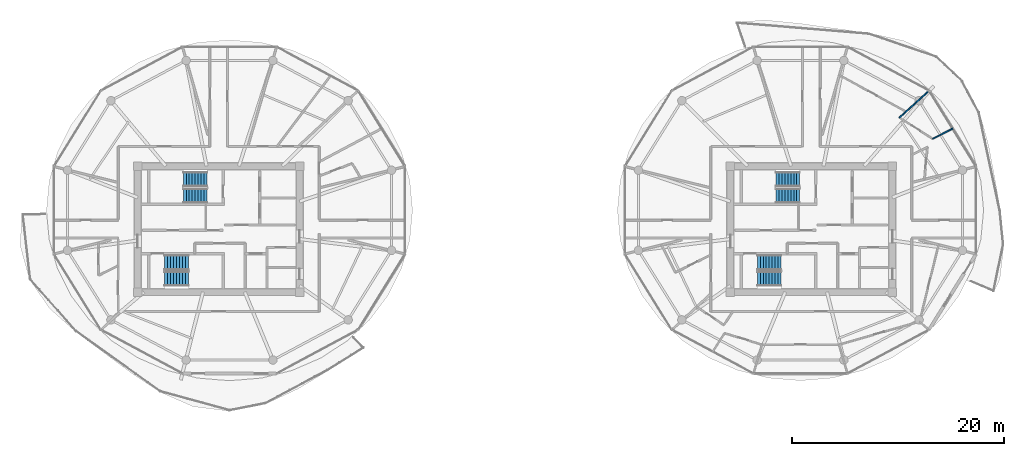
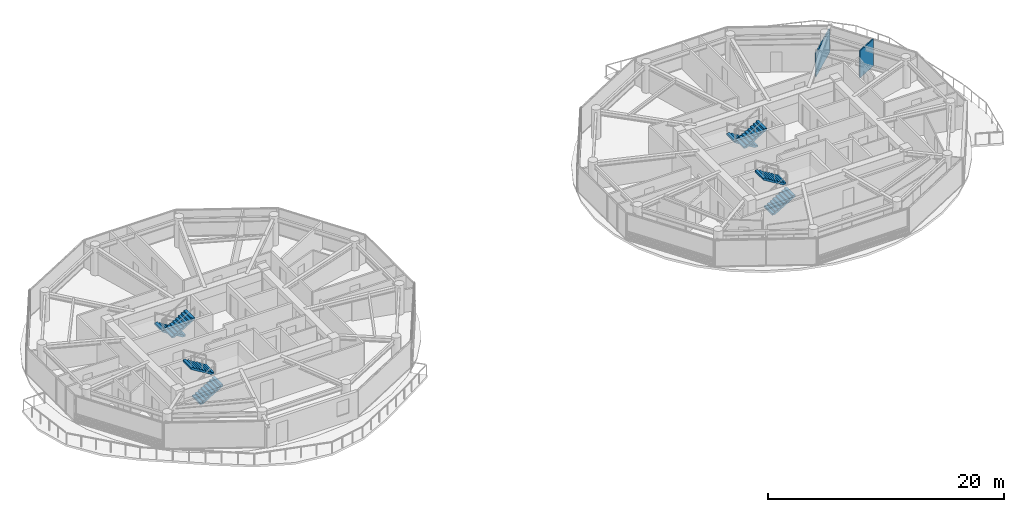
# One storey, part 17 of 22: 8 stair flights, 2 walls, 4 elements without a shape of their own.
"""IFC4 building model written with IfcOpenShell, lengths in metres."""

from ifc_helpers import new_model, si_unit, direction, frame, frame_2d, origin, place, context, subcontext, project, spatial, polyline, rectangle, outline, extrude, source, transform, mapped, material, layer, layer_set, type_object, type_shapes, element, aggregate, save


model = new_model("IFC4")

# Units and contexts
model_context = context("Model", 3, precision=1e-05, world=origin(), true_north=direction((0.0, 1.0)))
body_context = subcontext(model_context, "Body", "Model", "MODEL_VIEW")
ifc_project = project(units=[si_unit("LENGTHUNIT", "METRE"), si_unit("AREAUNIT", "SQUARE_METRE"), si_unit("VOLUMEUNIT", "CUBIC_METRE"), si_unit("PLANEANGLEUNIT", "RADIAN"), si_unit("MASSUNIT", "GRAM", prefix="KILO")], contexts=[model_context])

# Site, building, storey
site_placement = place(None, origin())
site = spatial("IfcSite", under=ifc_project, at=site_placement, CompositionType="ELEMENT")
building_placement = place(site_placement, origin())
building = spatial("IfcBuilding", under=site, at=building_placement, Name="Norrkilde Senior Care Towers", CompositionType="ELEMENT")
storey_placement = place(building_placement, frame((0.0, 0.0, 167.85009765625)))
storey = spatial("IfcBuildingStorey", under=building, at=storey_placement, Name="L52", CompositionType="ELEMENT", Elevation=167.85009765625)

# Walls
ifc_material_1 = material(Name="Gypsum Acoustic Board")
ifc_layer = layer(ifc_material_1, 0.114990234375)
ifc_layer_set = layer_set([ifc_layer], Name="Gypsum Acoustic Board")
wall_type = type_object("IfcWallType", Name="Internal Room Partition 115", PredefinedType="PARTITIONING", material=ifc_layer_set)
shared_shape_1 = source(origin(), body_context, "Body", "SweptSolid", [
    extrude(rectangle(XDim=3.814453125, YDim=0.114990234375, at=frame_2d((1.9072265625, 0.0))), origin(), (0.0, 0.0, 1.0), 2.434814453125),
])
wall_1_placement = place(storey_placement, frame((36.3193359375, 10.51806640625, 0.0), z_axis=(0.0, 0.0, 1.0), x_axis=(0.73871962024, 0.674012850524, 0.0)))
element("IfcWall", 1, at=wall_1_placement, inside=storey, type_object=wall_type, Name="WL-INT-L52-E-UBR-00-1", PredefinedType="PARTITIONING", context=body_context, shape_type="MappedRepresentation", body=[
    mapped(shared_shape_1, transform((0.0, 0.0, 0.0), x_axis=(1.0, 0.0, 0.0), y_axis=(0.0, 1.0, 0.0), z_axis=(0.0, 0.0, 1.0), scale=1.0)),
])
shared_shape_2 = source(origin(), body_context, "Body", "SweptSolid", [
    extrude(rectangle(XDim=2.1298828125, YDim=0.114990234375, at=frame_2d((1.06494140625, 0.0))), origin(), (0.0, 0.0, 1.0), 2.794921875),
])
type_shapes(wall_type, [shared_shape_1, shared_shape_2])
wall_2_placement = place(storey_placement, frame((39.470703125, 8.525390625, 0.0), z_axis=(0.0, 0.0, 1.0), x_axis=(0.888504584778, 0.458867740016, 0.0)))
element("IfcWall", 2, at=wall_2_placement, inside=storey, type_object=wall_type, Name="WL-INT-L52-E-UKTS-00", PredefinedType="PARTITIONING", context=body_context, shape_type="MappedRepresentation", body=[
    mapped(shared_shape_2, transform((0.0, 0.0, 0.0), x_axis=(1.0, 0.0, 0.0), y_axis=(0.0, 1.0, 0.0), z_axis=(0.0, 0.0, 1.0), scale=1.0)),
])

# Stair, stair flights
ifc_material_2 = material(Name="Concrete C45/55", Category="concrete")
stair_type = type_object("IfcStairType", Name="Core Protected Dogleg Stair Typical 3050", PredefinedType="HALF_TURN_STAIR", material=ifc_material_2)
stair_1_placement = place(storey_placement, origin())
stair_1 = element("IfcStair", 3, at=stair_1_placement, inside=storey, type_object=stair_type, Name="L52 Protected Core Stair W1", PredefinedType="HALF_TURN_STAIR")
stair_flight_type = type_object("IfcStairFlightType", Name="Core Protected Dogleg Stair Typical 3050 Flight", PredefinedType="STRAIGHT", material=ifc_material_2)
stair_flight_1_placement = place(storey_placement, frame((-29.10009765625, 4.699951171875, 0.0), z_axis=(0.0, 0.0, 1.0), x_axis=(-1.0, 0.0, 0.0)))
stair_flight_1 = element("IfcStairFlight", 4, at=stair_flight_1_placement, type_object=stair_flight_type, Name="ST-W1 flight 1", NumberOfRisers=9, NumberOfTreads=8, PredefinedType="STRAIGHT", RiserHeight=0.169444444, TreadLength=0.28, context=body_context, shape_type="SweptSolid", body=[
    extrude(outline(polyline([(0.0, 0.0), (0.0, 0.16943359375), (0.280029296875, 0.16943359375), (0.280029296875, 0.3388671875), (0.56005859375, 0.3388671875), (0.56005859375, 0.50830078125), (0.840087890625, 0.50830078125), (0.840087890625, 0.677734375), (1.1201171875, 0.677734375), (1.1201171875, 0.84716796875), (1.39990234375, 0.84716796875), (1.39990234375, 1.0166015625), (1.679931640625, 1.0166015625), (1.679931640625, 1.18603515625), (1.9599609375, 1.18603515625), (1.9599609375, 1.35546875), (2.239990234375, 1.35546875), (2.239990234375, 1.52490234375), (2.239990234375, 1.180419921875), (0.28955078125, 0.0), (0.0, 0.0)])), frame((0.0, 0.699951171875, 0.0), z_axis=(0.0, -1.0, 0.0), x_axis=(1.0, 0.0, 0.0)), (0.0, 0.0, 1.0), 1.39990234375),
])
stair_flight_2_placement = place(storey_placement, frame((-31.340087890625, 3.14990234375, 1.52490234375), z_axis=(0.0, 0.0, 1.0), x_axis=(1.0, 0.0, 0.0)))
stair_flight_2 = element("IfcStairFlight", 5, at=stair_flight_2_placement, type_object=stair_flight_type, Name="ST-W1 flight 2", NumberOfRisers=9, NumberOfTreads=8, PredefinedType="STRAIGHT", RiserHeight=0.169444444, TreadLength=0.28, context=body_context, shape_type="SweptSolid", body=[
    extrude(outline(polyline([(0.0, 0.0), (0.0, 0.16943359375), (0.280029296875, 0.16943359375), (0.280029296875, 0.3388671875), (0.56005859375, 0.3388671875), (0.56005859375, 0.50830078125), (0.840087890625, 0.50830078125), (0.840087890625, 0.677734375), (1.1201171875, 0.677734375), (1.1201171875, 0.84716796875), (1.39990234375, 0.84716796875), (1.39990234375, 1.0166015625), (1.679931640625, 1.0166015625), (1.679931640625, 1.18603515625), (1.9599609375, 1.18603515625), (1.9599609375, 1.35546875), (2.239990234375, 1.35546875), (2.239990234375, 1.52490234375), (2.239990234375, 1.180419921875), (0.28955078125, 0.0), (0.0, 0.0)])), frame((0.0, 0.699951171875, 0.0), z_axis=(0.0, -1.0, 0.0), x_axis=(1.0, 0.0, 0.0)), (0.0, 0.0, 1.0), 1.39990234375),
])
aggregate(stair_1, [stair_flight_1, stair_flight_2])

stair_2_placement = place(storey_placement, origin())
stair_2 = element("IfcStair", 6, at=stair_2_placement, inside=storey, type_object=stair_type, Name="L52 Protected Core Stair W2", PredefinedType="HALF_TURN_STAIR")
stair_flight_3_placement = place(storey_placement, frame((-33.10009765625, -4.699951171875, 0.0), z_axis=(0.0, 0.0, 1.0), x_axis=(1.0, 0.0, 0.0)))
stair_flight_3 = element("IfcStairFlight", 7, at=stair_flight_3_placement, type_object=stair_flight_type, Name="ST-W2 flight 1", NumberOfRisers=9, NumberOfTreads=8, PredefinedType="STRAIGHT", RiserHeight=0.169444444, TreadLength=0.28, context=body_context, shape_type="SweptSolid", body=[
    extrude(outline(polyline([(0.0, 0.0), (0.0, 0.16943359375), (0.280029296875, 0.16943359375), (0.280029296875, 0.3388671875), (0.56005859375, 0.3388671875), (0.56005859375, 0.50830078125), (0.840087890625, 0.50830078125), (0.840087890625, 0.677734375), (1.1201171875, 0.677734375), (1.1201171875, 0.84716796875), (1.39990234375, 0.84716796875), (1.39990234375, 1.0166015625), (1.679931640625, 1.0166015625), (1.679931640625, 1.18603515625), (1.9599609375, 1.18603515625), (1.9599609375, 1.35546875), (2.239990234375, 1.35546875), (2.239990234375, 1.52490234375), (2.239990234375, 1.180419921875), (0.28955078125, 0.0), (0.0, 0.0)])), frame((0.0, 0.699951171875, 0.0), z_axis=(0.0, -1.0, 0.0), x_axis=(1.0, 0.0, 0.0)), (0.0, 0.0, 1.0), 1.39990234375),
])
stair_flight_4_placement = place(storey_placement, frame((-30.860107421875, -3.14990234375, 1.52490234375), z_axis=(0.0, 0.0, 1.0), x_axis=(-1.0, 0.0, 0.0)))
stair_flight_4 = element("IfcStairFlight", 8, at=stair_flight_4_placement, type_object=stair_flight_type, Name="ST-W2 flight 2", NumberOfRisers=9, NumberOfTreads=8, PredefinedType="STRAIGHT", RiserHeight=0.169444444, TreadLength=0.28, context=body_context, shape_type="SweptSolid", body=[
    extrude(outline(polyline([(0.0, 0.0), (0.0, 0.16943359375), (0.280029296875, 0.16943359375), (0.280029296875, 0.3388671875), (0.56005859375, 0.3388671875), (0.56005859375, 0.50830078125), (0.840087890625, 0.50830078125), (0.840087890625, 0.677734375), (1.1201171875, 0.677734375), (1.1201171875, 0.84716796875), (1.39990234375, 0.84716796875), (1.39990234375, 1.0166015625), (1.679931640625, 1.0166015625), (1.679931640625, 1.18603515625), (1.9599609375, 1.18603515625), (1.9599609375, 1.35546875), (2.239990234375, 1.35546875), (2.239990234375, 1.52490234375), (2.239990234375, 1.180419921875), (0.28955078125, 0.0), (0.0, 0.0)])), frame((0.0, 0.699951171875, 0.0), z_axis=(0.0, -1.0, 0.0), x_axis=(1.0, 0.0, 0.0)), (0.0, 0.0, 1.0), 1.39990234375),
])
aggregate(stair_2, [stair_flight_3, stair_flight_4])

stair_3_placement = place(storey_placement, origin())
stair_3 = element("IfcStair", 9, at=stair_3_placement, inside=storey, type_object=stair_type, Name="L52 Protected Core Stair E1", PredefinedType="HALF_TURN_STAIR")
stair_flight_5_placement = place(storey_placement, frame((26.89990234375, 4.699951171875, 0.0), z_axis=(0.0, 0.0, 1.0), x_axis=(-1.0, 0.0, 0.0)))
stair_flight_5 = element("IfcStairFlight", 10, at=stair_flight_5_placement, type_object=stair_flight_type, Name="ST-E1 flight 1", NumberOfRisers=9, NumberOfTreads=8, PredefinedType="STRAIGHT", RiserHeight=0.169444444, TreadLength=0.28, context=body_context, shape_type="SweptSolid", body=[
    extrude(outline(polyline([(0.0, 0.0), (0.0, 0.16943359375), (0.280029296875, 0.16943359375), (0.280029296875, 0.3388671875), (0.56005859375, 0.3388671875), (0.56005859375, 0.50830078125), (0.840087890625, 0.50830078125), (0.840087890625, 0.677734375), (1.1201171875, 0.677734375), (1.1201171875, 0.84716796875), (1.39990234375, 0.84716796875), (1.39990234375, 1.0166015625), (1.679931640625, 1.0166015625), (1.679931640625, 1.18603515625), (1.9599609375, 1.18603515625), (1.9599609375, 1.35546875), (2.239990234375, 1.35546875), (2.239990234375, 1.52490234375), (2.239990234375, 1.180419921875), (0.28955078125, 0.0), (0.0, 0.0)])), frame((0.0, 0.699951171875, 0.0), z_axis=(0.0, -1.0, 0.0), x_axis=(1.0, 0.0, 0.0)), (0.0, 0.0, 1.0), 1.39990234375),
])
stair_flight_6_placement = place(storey_placement, frame((24.659912109375, 3.14990234375, 1.52490234375), z_axis=(0.0, 0.0, 1.0), x_axis=(1.0, 0.0, 0.0)))
stair_flight_6 = element("IfcStairFlight", 11, at=stair_flight_6_placement, type_object=stair_flight_type, Name="ST-E1 flight 2", NumberOfRisers=9, NumberOfTreads=8, PredefinedType="STRAIGHT", RiserHeight=0.169444444, TreadLength=0.28, context=body_context, shape_type="SweptSolid", body=[
    extrude(outline(polyline([(0.0, 0.0), (0.0, 0.16943359375), (0.280029296875, 0.16943359375), (0.280029296875, 0.3388671875), (0.56005859375, 0.3388671875), (0.56005859375, 0.50830078125), (0.840087890625, 0.50830078125), (0.840087890625, 0.677734375), (1.1201171875, 0.677734375), (1.1201171875, 0.84716796875), (1.39990234375, 0.84716796875), (1.39990234375, 1.0166015625), (1.679931640625, 1.0166015625), (1.679931640625, 1.18603515625), (1.9599609375, 1.18603515625), (1.9599609375, 1.35546875), (2.239990234375, 1.35546875), (2.239990234375, 1.52490234375), (2.239990234375, 1.180419921875), (0.28955078125, 0.0), (0.0, 0.0)])), frame((0.0, 0.699951171875, 0.0), z_axis=(0.0, -1.0, 0.0), x_axis=(1.0, 0.0, 0.0)), (0.0, 0.0, 1.0), 1.39990234375),
])
aggregate(stair_3, [stair_flight_5, stair_flight_6])

stair_4_placement = place(storey_placement, origin())
stair_4 = element("IfcStair", 12, at=stair_4_placement, inside=storey, type_object=stair_type, Name="L52 Protected Core Stair E2", PredefinedType="HALF_TURN_STAIR")
stair_flight_7_placement = place(storey_placement, frame((22.89990234375, -4.699951171875, 0.0), z_axis=(0.0, 0.0, 1.0), x_axis=(1.0, 0.0, 0.0)))
stair_flight_7 = element("IfcStairFlight", 13, at=stair_flight_7_placement, type_object=stair_flight_type, Name="ST-E2 flight 1", NumberOfRisers=9, NumberOfTreads=8, PredefinedType="STRAIGHT", RiserHeight=0.169444444, TreadLength=0.28, context=body_context, shape_type="SweptSolid", body=[
    extrude(outline(polyline([(0.0, 0.0), (0.0, 0.16943359375), (0.280029296875, 0.16943359375), (0.280029296875, 0.3388671875), (0.56005859375, 0.3388671875), (0.56005859375, 0.50830078125), (0.840087890625, 0.50830078125), (0.840087890625, 0.677734375), (1.1201171875, 0.677734375), (1.1201171875, 0.84716796875), (1.39990234375, 0.84716796875), (1.39990234375, 1.0166015625), (1.679931640625, 1.0166015625), (1.679931640625, 1.18603515625), (1.9599609375, 1.18603515625), (1.9599609375, 1.35546875), (2.239990234375, 1.35546875), (2.239990234375, 1.52490234375), (2.239990234375, 1.180419921875), (0.28955078125, 0.0), (0.0, 0.0)])), frame((0.0, 0.699951171875, 0.0), z_axis=(0.0, -1.0, 0.0), x_axis=(1.0, 0.0, 0.0)), (0.0, 0.0, 1.0), 1.39990234375),
])
stair_flight_8_placement = place(storey_placement, frame((25.139892578125, -3.14990234375, 1.52490234375), z_axis=(0.0, 0.0, 1.0), x_axis=(-1.0, 0.0, 0.0)))
stair_flight_8 = element("IfcStairFlight", 14, at=stair_flight_8_placement, type_object=stair_flight_type, Name="ST-E2 flight 2", NumberOfRisers=9, NumberOfTreads=8, PredefinedType="STRAIGHT", RiserHeight=0.169444444, TreadLength=0.28, context=body_context, shape_type="SweptSolid", body=[
    extrude(outline(polyline([(0.0, 0.0), (0.0, 0.16943359375), (0.280029296875, 0.16943359375), (0.280029296875, 0.3388671875), (0.56005859375, 0.3388671875), (0.56005859375, 0.50830078125), (0.840087890625, 0.50830078125), (0.840087890625, 0.677734375), (1.1201171875, 0.677734375), (1.1201171875, 0.84716796875), (1.39990234375, 0.84716796875), (1.39990234375, 1.0166015625), (1.679931640625, 1.0166015625), (1.679931640625, 1.18603515625), (1.9599609375, 1.18603515625), (1.9599609375, 1.35546875), (2.239990234375, 1.35546875), (2.239990234375, 1.52490234375), (2.239990234375, 1.180419921875), (0.28955078125, 0.0), (0.0, 0.0)])), frame((0.0, 0.699951171875, 0.0), z_axis=(0.0, -1.0, 0.0), x_axis=(1.0, 0.0, 0.0)), (0.0, 0.0, 1.0), 1.39990234375),
])
aggregate(stair_4, [stair_flight_7, stair_flight_8])

save(model, "model.ifc")
